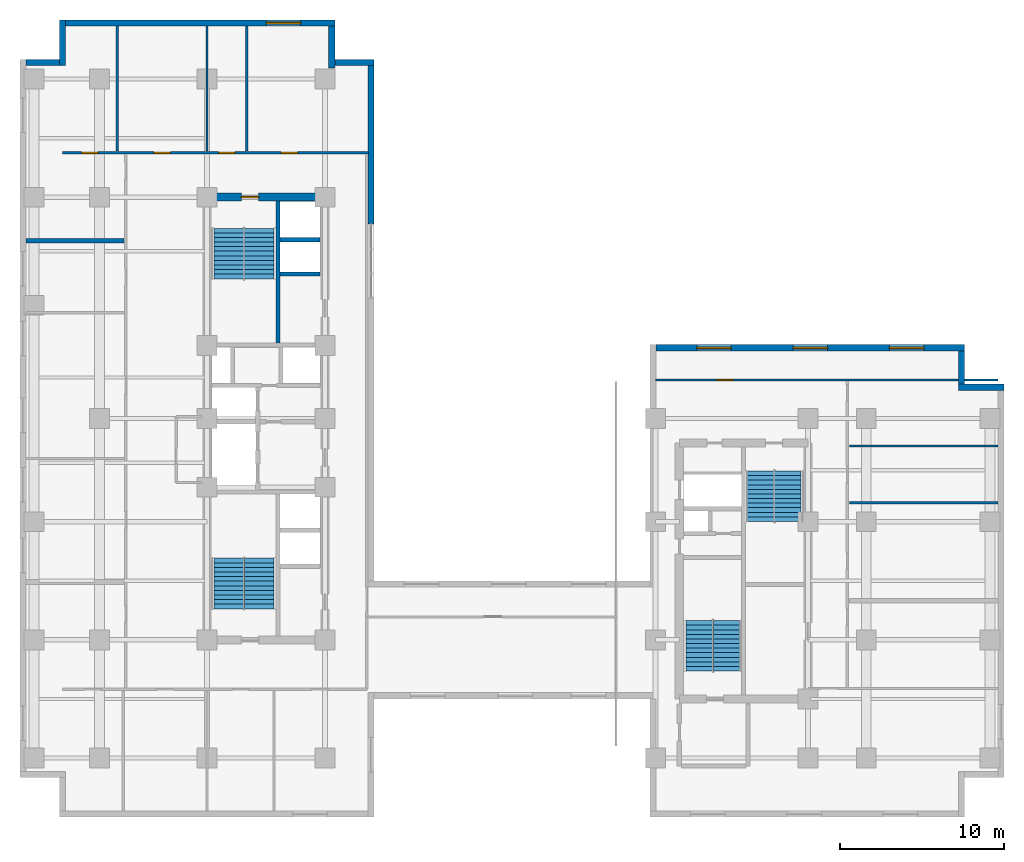
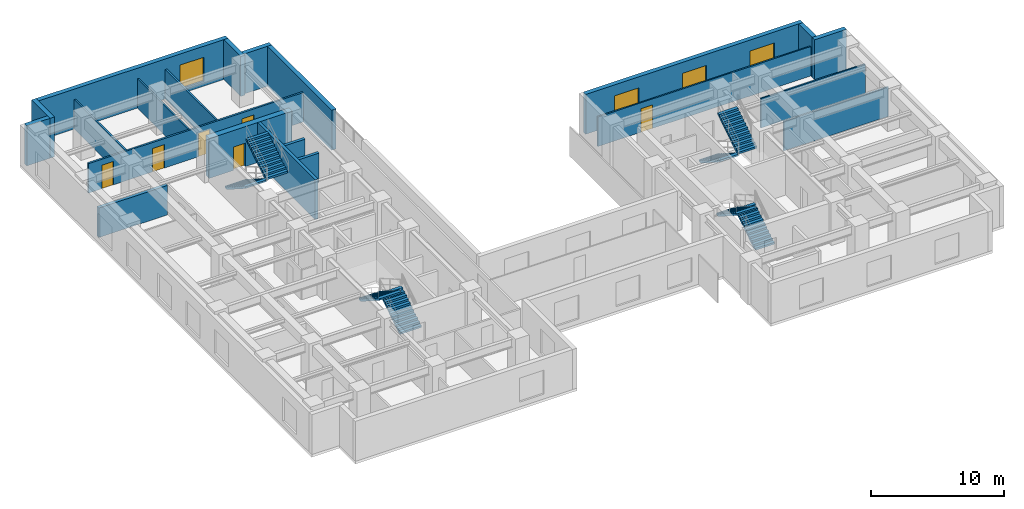
# One storey, part 8 of 11: 21 walls, 8 stair flights, 6 doors, 4 windows, 10 openings, 4 elements without a shape of their own.
"""IFC4 building model written with IfcOpenShell, lengths in metres."""

from ifc_helpers import new_model, entity, si_unit, converted_unit, direction, frame, origin_with_axes, origin_2d_with_axis, place, context, subcontext, project, spatial, polyline, rectangle, outline, extrude, material, layer, layer_set, type_object, element, fill, aggregate, save


model = new_model("IFC4")

# Units and contexts
model_context = context("Model", 3, precision=1e-05, world=origin_with_axes(), true_north=direction((0.0, 1.0)))
body_context = subcontext(model_context, "Body", "Model", "MODEL_VIEW")
ifc_project = project(units=[si_unit("LENGTHUNIT", "METRE"), si_unit("AREAUNIT", "SQUARE_METRE"), si_unit("VOLUMEUNIT", "CUBIC_METRE"), converted_unit("PLANEANGLEUNIT", "DEGREE", entity("IfcPlaneAngleMeasure", 0.017453292519943295), si_unit("PLANEANGLEUNIT", "RADIAN"), dimensions=[0, 0, 0, 0, 0, 0, 0]), si_unit("MASSUNIT", "GRAM", prefix="KILO"), si_unit("THERMODYNAMICTEMPERATUREUNIT", "KELVIN")], contexts=[model_context])

# Site, building, storey
site_placement = place(None, origin_with_axes())
site = spatial("IfcSite", under=ifc_project, at=site_placement, CompositionType="ELEMENT")
building_placement = place(site_placement, origin_with_axes())
building = spatial("IfcBuilding", under=site, at=building_placement, Name="Varnlund Millrace Tower", CompositionType="ELEMENT")
storey_placement = place(building_placement, frame((0.0, 0.0, 104.7), z_axis=(0.0, 0.0, 1.0), x_axis=(1.0, 0.0, 0.0)))
storey = spatial("IfcBuildingStorey", under=building, at=storey_placement, Name="L25", CompositionType="ELEMENT", Elevation=104.7)

# Wall, opening, door
ifc_material_1 = material(Name="Concrete C70/85", Category="concrete")
ifc_layer_1 = layer(ifc_material_1, 0.5, Name="Concrete C70/85")
ifc_layer_set_1 = layer_set([ifc_layer_1], Name="Concrete C70/85")
wall_type_1 = type_object("IfcWallType", Name="Type-CoreWall-Shear-500-C70", PredefinedType="SHEAR", material=ifc_layer_set_1)
wall_1_placement = place(storey_placement, frame((11.4, 37.8, 0.0), z_axis=(0.0, 0.0, 1.0), x_axis=(1.0, 0.0, 0.0)))
wall_1 = element("IfcWall", 1, at=wall_1_placement, inside=storey, type_object=wall_type_1, Name="Type-CoreWall-Shear-500-C70", PredefinedType="SHEAR", context=body_context, shape_type="SweptSolid", body=[
    extrude(outline(polyline([(0.0, -0.25), (7.2, -0.25), (7.2, 0.25), (0.0, 0.25), (0.0, -0.25)])), origin_with_axes(), (0.0, 0.0, 1.0), 3.66),
])
opening_1_placement = place(wall_1_placement, frame((2.625, 0.0, 0.0), z_axis=(0.0, 0.0, 1.0), x_axis=(1.0, 0.0, 0.0)))
opening_1 = element("IfcOpeningElement", 2, at=opening_1_placement, cuts=wall_1, Name="Opening L25:DR-STA2", PredefinedType="OPENING", context=body_context, shape_type="SweptSolid", body=[
    extrude(rectangle(XDim=1.05, YDim=0.52, at=origin_2d_with_axis()), origin_with_axes(), (0.0, 0.0, 1.0), 2.15),
])
ifc_material_2 = material(Name="Fire-rated hollow steel door", Category="steel")
door_type_1 = type_object("IfcDoorType", Name="Type-FireDoor-Stair-1050X2150", OperationType="NOTDEFINED", PredefinedType="DOOR", material=ifc_material_2)
door_1_placement = place(wall_1_placement, frame((2.625, 0.0, 0.0), z_axis=(0.0, 0.0, 1.0), x_axis=(1.0, 0.0, 0.0)))
door_1 = element("IfcDoor", 3, at=door_1_placement, inside=storey, type_object=door_type_1, Name="Type-FireDoor-Stair-1050X2150", OperationType="SINGLE_SWING_RIGHT", OverallHeight=2.15, OverallWidth=1.05, PredefinedType="DOOR", context=body_context, shape_type="SweptSolid", body=[
    extrude(rectangle(XDim=1.05, YDim=0.09, at=origin_2d_with_axis()), origin_with_axes(), (0.0, 0.0, 1.0), 2.15),
])
fill(opening_1, door_1)

# Wall, openings, windows
ifc_material_3 = material(Name="Precast concrete C50/60", Category="concrete")
ifc_layer_2 = layer(ifc_material_3, 0.38, Name="Precast concrete C50/60")
ifc_layer_set_2 = layer_set([ifc_layer_2], Name="Precast concrete C50/60")
wall_type_2 = type_object("IfcWallType", Name="Type-ExtWall-Precast-Tube-380", PredefinedType="SOLIDWALL", material=ifc_layer_set_2)
wall_2_placement = place(storey_placement, frame((38.78, 28.61, 0.0), z_axis=(0.0, 0.0, 1.0), x_axis=(1.0, 0.0, 0.0)))
wall_2 = element("IfcWall", 4, at=wall_2_placement, inside=storey, type_object=wall_type_2, Name="Type-ExtWall-Precast-Tube-380", PredefinedType="SOLIDWALL", context=body_context, shape_type="SweptSolid", body=[
    extrude(outline(polyline([(0.0, -0.19), (18.82, -0.19), (18.82, 0.19), (0.0, 0.19), (0.0, -0.19)])), origin_with_axes(), (0.0, 0.0, 1.0), 3.66),
])
opening_2_placement = place(wall_2_placement, frame((3.537, 0.0, 0.45), z_axis=(0.0, 0.0, 1.0), x_axis=(1.0, 0.0, 0.0)))
opening_2 = element("IfcOpeningElement", 5, at=opening_2_placement, cuts=wall_2, Name="Opening L25:WN-01", PredefinedType="OPENING", context=body_context, shape_type="SweptSolid", body=[
    extrude(rectangle(XDim=2.1, YDim=0.4, at=origin_2d_with_axis()), origin_with_axes(), (0.0, 0.0, 1.0), 2.2),
])
opening_3_placement = place(wall_2_placement, frame((9.41, 0.0, 0.45), z_axis=(0.0, 0.0, 1.0), x_axis=(1.0, 0.0, 0.0)))
opening_3 = element("IfcOpeningElement", 6, at=opening_3_placement, cuts=wall_2, Name="Opening L25:WN-02", PredefinedType="OPENING", context=body_context, shape_type="SweptSolid", body=[
    extrude(rectangle(XDim=2.1, YDim=0.4, at=origin_2d_with_axis()), origin_with_axes(), (0.0, 0.0, 1.0), 2.2),
])
opening_4_placement = place(wall_2_placement, frame((15.283, 0.0, 0.45), z_axis=(0.0, 0.0, 1.0), x_axis=(1.0, 0.0, 0.0)))
opening_4 = element("IfcOpeningElement", 7, at=opening_4_placement, cuts=wall_2, Name="Opening L25:WN-03", PredefinedType="OPENING", context=body_context, shape_type="SweptSolid", body=[
    extrude(rectangle(XDim=2.1, YDim=0.4, at=origin_2d_with_axis()), origin_with_axes(), (0.0, 0.0, 1.0), 2.2),
])
ifc_material_4 = material(Name="Argon low-e triple glazing in thermally broken bronze frame", Category="glass")
window_type = type_object("IfcWindowType", Name="Type-Window-Punched-2100X2200", PartitioningType="SINGLE_PANEL", PredefinedType="WINDOW", material=ifc_material_4)
window_1_placement = place(wall_2_placement, frame((3.537, 0.0, 0.45), z_axis=(0.0, 0.0, 1.0), x_axis=(1.0, 0.0, 0.0)))
window_1 = element("IfcWindow", 8, at=window_1_placement, inside=storey, type_object=window_type, Name="Type-Window-Punched-2100X2200", OverallHeight=2.2, OverallWidth=2.1, PredefinedType="WINDOW", context=body_context, shape_type="SweptSolid", body=[
    extrude(rectangle(XDim=2.1, YDim=0.09, at=origin_2d_with_axis()), origin_with_axes(), (0.0, 0.0, 1.0), 2.2),
])
fill(opening_2, window_1)
window_2_placement = place(wall_2_placement, frame((9.41, 0.0, 0.45), z_axis=(0.0, 0.0, 1.0), x_axis=(1.0, 0.0, 0.0)))
window_2 = element("IfcWindow", 9, at=window_2_placement, inside=storey, type_object=window_type, Name="Type-Window-Punched-2100X2200", OverallHeight=2.2, OverallWidth=2.1, PredefinedType="WINDOW", context=body_context, shape_type="SweptSolid", body=[
    extrude(rectangle(XDim=2.1, YDim=0.09, at=origin_2d_with_axis()), origin_with_axes(), (0.0, 0.0, 1.0), 2.2),
])
fill(opening_3, window_2)
window_3_placement = place(wall_2_placement, frame((15.283, 0.0, 0.45), z_axis=(0.0, 0.0, 1.0), x_axis=(1.0, 0.0, 0.0)))
window_3 = element("IfcWindow", 10, at=window_3_placement, inside=storey, type_object=window_type, Name="Type-Window-Punched-2100X2200", OverallHeight=2.2, OverallWidth=2.1, PredefinedType="WINDOW", context=body_context, shape_type="SweptSolid", body=[
    extrude(rectangle(XDim=2.1, YDim=0.09, at=origin_2d_with_axis()), origin_with_axes(), (0.0, 0.0, 1.0), 2.2),
])
fill(opening_4, window_3)

# Walls
wall_3_placement = place(storey_placement, frame((57.41, 28.42, 0.0), z_axis=(0.0, 0.0, 1.0), x_axis=(0.0, -1.0, 0.0)))
element("IfcWall", 11, at=wall_3_placement, inside=storey, type_object=wall_type_2, Name="Type-ExtWall-Precast-Tube-380", PredefinedType="SOLIDWALL", context=body_context, shape_type="SweptSolid", body=[
    extrude(outline(polyline([(0.0, -0.19), (2.02, -0.19), (2.02, 0.19), (0.0, 0.19), (0.0, -0.19)])), origin_with_axes(), (0.0, 0.0, 1.0), 3.66),
])
wall_4_placement = place(storey_placement, frame((57.22, 26.21, 0.0), z_axis=(0.0, 0.0, 1.0), x_axis=(1.0, 0.0, 0.0)))
element("IfcWall", 12, at=wall_4_placement, inside=storey, type_object=wall_type_2, Name="Type-ExtWall-Precast-Tube-380", PredefinedType="SOLIDWALL", context=body_context, shape_type="SweptSolid", body=[
    extrude(outline(polyline([(0.0, -0.19), (2.78, -0.19), (2.78, 0.19), (0.0, 0.19), (0.0, -0.19)])), origin_with_axes(), (0.0, 0.0, 1.0), 3.66),
])
wall_5_placement = place(storey_placement, frame((0.38, 46.01, 0.0), z_axis=(0.0, 0.0, 1.0), x_axis=(1.0, 0.0, 0.0)))
element("IfcWall", 13, at=wall_5_placement, inside=storey, type_object=wall_type_2, Name="Type-ExtWall-Precast-Tube-380", PredefinedType="SOLIDWALL", context=body_context, shape_type="SweptSolid", body=[
    extrude(outline(polyline([(0.0, -0.19), (2.02, -0.19), (2.02, 0.19), (0.0, 0.19), (0.0, -0.19)])), origin_with_axes(), (0.0, 0.0, 1.0), 3.66),
])
wall_6_placement = place(storey_placement, frame((2.59, 45.82, 0.0), z_axis=(0.0, 0.0, 1.0), x_axis=(0.0, 1.0, 0.0)))
element("IfcWall", 14, at=wall_6_placement, inside=storey, type_object=wall_type_2, Name="Type-ExtWall-Precast-Tube-380", PredefinedType="SOLIDWALL", context=body_context, shape_type="SweptSolid", body=[
    extrude(outline(polyline([(0.0, -0.19), (2.78, -0.19), (2.78, 0.19), (0.0, 0.19), (0.0, -0.19)])), origin_with_axes(), (0.0, 0.0, 1.0), 3.66),
])

# Wall, opening, window
wall_7_placement = place(storey_placement, frame((2.78, 48.41, 0.0), z_axis=(0.0, 0.0, 1.0), x_axis=(1.0, 0.0, 0.0)))
wall_7 = element("IfcWall", 15, at=wall_7_placement, inside=storey, type_object=wall_type_2, Name="Type-ExtWall-Precast-Tube-380", PredefinedType="SOLIDWALL", context=body_context, shape_type="SweptSolid", body=[
    extrude(outline(polyline([(0.0, -0.19), (16.42, -0.19), (16.42, 0.19), (0.0, 0.19), (0.0, -0.19)])), origin_with_axes(), (0.0, 0.0, 1.0), 3.66),
])
opening_5_placement = place(wall_7_placement, frame((13.283, 0.0, 0.45), z_axis=(0.0, 0.0, 1.0), x_axis=(1.0, 0.0, 0.0)))
opening_5 = element("IfcOpeningElement", 16, at=opening_5_placement, cuts=wall_7, Name="Opening L25:WN-20", PredefinedType="OPENING", context=body_context, shape_type="SweptSolid", body=[
    extrude(rectangle(XDim=2.1, YDim=0.4, at=origin_2d_with_axis()), origin_with_axes(), (0.0, 0.0, 1.0), 2.2),
])
window_4_placement = place(wall_7_placement, frame((13.283, 0.0, 0.45), z_axis=(0.0, 0.0, 1.0), x_axis=(1.0, 0.0, 0.0)))
window_4 = element("IfcWindow", 17, at=window_4_placement, inside=storey, type_object=window_type, Name="Type-Window-Punched-2100X2200", OverallHeight=2.2, OverallWidth=2.1, PredefinedType="WINDOW", context=body_context, shape_type="SweptSolid", body=[
    extrude(rectangle(XDim=2.1, YDim=0.09, at=origin_2d_with_axis()), origin_with_axes(), (0.0, 0.0, 1.0), 2.2),
])
fill(opening_5, window_4)

# Walls
wall_8_placement = place(storey_placement, frame((19.01, 48.22, 0.0), z_axis=(0.0, 0.0, 1.0), x_axis=(0.0, -1.0, 0.0)))
element("IfcWall", 18, at=wall_8_placement, inside=storey, type_object=wall_type_2, Name="Type-ExtWall-Precast-Tube-380", PredefinedType="SOLIDWALL", context=body_context, shape_type="SweptSolid", body=[
    extrude(outline(polyline([(0.0, -0.19), (2.56, -0.19), (2.56, 0.19), (0.0, 0.19), (0.0, -0.19)])), origin_with_axes(), (0.0, 0.0, 1.0), 3.66),
])
wall_9_placement = place(storey_placement, frame((18.82, 46.01, 0.0), z_axis=(0.0, 0.0, 1.0), x_axis=(1.0, 0.0, 0.0)))
element("IfcWall", 19, at=wall_9_placement, inside=storey, type_object=wall_type_2, Name="Type-ExtWall-Precast-Tube-380", PredefinedType="SOLIDWALL", context=body_context, shape_type="SweptSolid", body=[
    extrude(outline(polyline([(0.0, -0.19), (2.78, -0.19), (2.78, 0.19), (0.0, 0.19), (0.0, -0.19)])), origin_with_axes(), (0.0, 0.0, 1.0), 3.66),
])
wall_10_placement = place(storey_placement, frame((21.41, 45.82, 0.0), z_axis=(0.0, 0.0, 1.0), x_axis=(0.0, -1.0, 0.0)))
element("IfcWall", 20, at=wall_10_placement, inside=storey, type_object=wall_type_2, Name="Type-ExtWall-Precast-Tube-380", PredefinedType="SOLIDWALL", context=body_context, shape_type="SweptSolid", body=[
    extrude(outline(polyline([(0.0, -0.19), (9.67, -0.19), (9.67, 0.19), (0.0, 0.19), (0.0, -0.19)])), origin_with_axes(), (0.0, 0.0, 1.0), 3.66),
])
ifc_material_5 = material(Name="Double-stud STC-60 conference acoustic partition", Category="gypsum")
ifc_layer_3 = layer(ifc_material_5, 0.28, Name="Double-stud STC-60 conference acoustic partition")
ifc_layer_set_3 = layer_set([ifc_layer_3], Name="Double-stud STC-60 conference acoustic partition")
wall_type_3 = type_object("IfcWallType", Name="Type-Partition-Acoustic-280", PredefinedType="PARTITIONING", material=ifc_layer_set_3)
wall_11_placement = place(storey_placement, frame((0.375, 35.135, 0.0), z_axis=(0.0, 0.0, 1.0), x_axis=(1.0, 0.0, 0.0)))
element("IfcWall", 21, at=wall_11_placement, inside=storey, type_object=wall_type_3, Name="Type-Partition-Acoustic-280", PredefinedType="PARTITIONING", context=body_context, shape_type="SweptSolid", body=[
    extrude(outline(polyline([(0.0, -0.14), (5.955, -0.14), (5.955, 0.14), (0.0, 0.14), (0.0, -0.14)])), origin_with_axes(), (0.0, 0.0, 1.0), 2.7),
])

# Wall, openings, doors
ifc_material_6 = material(Name="Fire-rated gypsum board on cold-formed steel framing", Category="steel")
ifc_layer_4 = layer(ifc_material_6, 0.16, Name="Fire-rated gypsum board on cold-formed steel framing")
ifc_layer_set_4 = layer_set([ifc_layer_4], Name="Fire-rated gypsum board on cold-formed steel framing")
wall_type_4 = type_object("IfcWallType", Name="Type-Partition-Corridor-160", PredefinedType="PARTITIONING", material=ifc_layer_set_4)
wall_12_placement = place(storey_placement, frame((2.6, 40.5, 0.0), z_axis=(0.0, 0.0, 1.0), x_axis=(1.0, 0.0, 0.0)))
wall_12 = element("IfcWall", 22, at=wall_12_placement, inside=storey, type_object=wall_type_4, Name="Type-Partition-Corridor-160", PredefinedType="PARTITIONING", context=body_context, shape_type="SweptSolid", body=[
    extrude(outline(polyline([(0.0, -0.08), (18.65, -0.08), (18.65, 0.08), (0.0, 0.08), (0.0, -0.08)])), origin_with_axes(), (0.0, 0.0, 1.0), 2.7),
])
opening_6_placement = place(wall_12_placement, frame((1.6635, 0.0, 0.0), z_axis=(0.0, 0.0, 1.0), x_axis=(1.0, 0.0, 0.0)))
opening_6 = element("IfcOpeningElement", 23, at=opening_6_placement, cuts=wall_12, Name="Opening L25:DR-WAN-01", PredefinedType="OPENING", context=body_context, shape_type="SweptSolid", body=[
    extrude(rectangle(XDim=1.0, YDim=0.18, at=origin_2d_with_axis()), origin_with_axes(), (0.0, 0.0, 1.0), 2.15),
])
opening_7_placement = place(wall_12_placement, frame((6.0685, 0.0, 0.0), z_axis=(0.0, 0.0, 1.0), x_axis=(1.0, 0.0, 0.0)))
opening_7 = element("IfcOpeningElement", 24, at=opening_7_placement, cuts=wall_12, Name="Opening L25:DR-WAN-02", PredefinedType="OPENING", context=body_context, shape_type="SweptSolid", body=[
    extrude(rectangle(XDim=1.0, YDim=0.18, at=origin_2d_with_axis()), origin_with_axes(), (0.0, 0.0, 1.0), 2.15),
])
opening_8_placement = place(wall_12_placement, frame((10.015, 0.0, 0.0), z_axis=(0.0, 0.0, 1.0), x_axis=(1.0, 0.0, 0.0)))
opening_8 = element("IfcOpeningElement", 25, at=opening_8_placement, cuts=wall_12, Name="Opening L25:DR-WAN-03", PredefinedType="OPENING", context=body_context, shape_type="SweptSolid", body=[
    extrude(rectangle(XDim=1.0, YDim=0.18, at=origin_2d_with_axis()), origin_with_axes(), (0.0, 0.0, 1.0), 2.15),
])
opening_9_placement = place(wall_12_placement, frame((13.825, 0.0, 0.0), z_axis=(0.0, 0.0, 1.0), x_axis=(1.0, 0.0, 0.0)))
opening_9 = element("IfcOpeningElement", 26, at=opening_9_placement, cuts=wall_12, Name="Opening L25:DR-WAN-04", PredefinedType="OPENING", context=body_context, shape_type="SweptSolid", body=[
    extrude(rectangle(XDim=1.0, YDim=0.18, at=origin_2d_with_axis()), origin_with_axes(), (0.0, 0.0, 1.0), 2.15),
])
ifc_material_7 = material(Name="Solid-core white oak and bronze frame door")
door_type_2 = type_object("IfcDoorType", Name="Type-IntDoor-Office-1000X2150", OperationType="NOTDEFINED", PredefinedType="DOOR", material=ifc_material_7)
door_2_placement = place(wall_12_placement, frame((1.6635, 0.0, 0.0), z_axis=(0.0, 0.0, 1.0), x_axis=(1.0, 0.0, 0.0)))
door_2 = element("IfcDoor", 27, at=door_2_placement, inside=storey, type_object=door_type_2, Name="Type-IntDoor-Office-1000X2150", OperationType="SINGLE_SWING_LEFT", OverallHeight=2.15, OverallWidth=1.0, PredefinedType="DOOR", context=body_context, shape_type="SweptSolid", body=[
    extrude(rectangle(XDim=1.0, YDim=0.09, at=origin_2d_with_axis()), origin_with_axes(), (0.0, 0.0, 1.0), 2.15),
])
fill(opening_6, door_2)
door_3_placement = place(wall_12_placement, frame((6.0685, 0.0, 0.0), z_axis=(0.0, 0.0, 1.0), x_axis=(1.0, 0.0, 0.0)))
door_3 = element("IfcDoor", 28, at=door_3_placement, inside=storey, type_object=door_type_2, Name="Type-IntDoor-Office-1000X2150", OperationType="SINGLE_SWING_RIGHT", OverallHeight=2.15, OverallWidth=1.0, PredefinedType="DOOR", context=body_context, shape_type="SweptSolid", body=[
    extrude(rectangle(XDim=1.0, YDim=0.09, at=origin_2d_with_axis()), origin_with_axes(), (0.0, 0.0, 1.0), 2.15),
])
fill(opening_7, door_3)
door_4_placement = place(wall_12_placement, frame((10.015, 0.0, 0.0), z_axis=(0.0, 0.0, 1.0), x_axis=(1.0, 0.0, 0.0)))
door_4 = element("IfcDoor", 29, at=door_4_placement, inside=storey, type_object=door_type_2, Name="Type-IntDoor-Office-1000X2150", OperationType="SINGLE_SWING_LEFT", OverallHeight=2.15, OverallWidth=1.0, PredefinedType="DOOR", context=body_context, shape_type="SweptSolid", body=[
    extrude(rectangle(XDim=1.0, YDim=0.09, at=origin_2d_with_axis()), origin_with_axes(), (0.0, 0.0, 1.0), 2.15),
])
fill(opening_8, door_4)
door_5_placement = place(wall_12_placement, frame((13.825, 0.0, 0.0), z_axis=(0.0, 0.0, 1.0), x_axis=(1.0, 0.0, 0.0)))
door_5 = element("IfcDoor", 30, at=door_5_placement, inside=storey, type_object=door_type_2, Name="Type-IntDoor-Office-1000X2150", OperationType="SINGLE_SWING_RIGHT", OverallHeight=2.15, OverallWidth=1.0, PredefinedType="DOOR", context=body_context, shape_type="SweptSolid", body=[
    extrude(rectangle(XDim=1.0, YDim=0.09, at=origin_2d_with_axis()), origin_with_axes(), (0.0, 0.0, 1.0), 2.15),
])
fill(opening_9, door_5)

# Walls
ifc_material_8 = material(Name="Acoustic STC-50 gypsum board partition", Category="gypsum")
ifc_layer_5 = layer(ifc_material_8, 0.15, Name="Acoustic STC-50 gypsum board partition")
ifc_layer_set_5 = layer_set([ifc_layer_5], Name="Acoustic STC-50 gypsum board partition")
wall_type_5 = type_object("IfcWallType", Name="Type-Partition-Demising-150", PredefinedType="PARTITIONING", material=ifc_layer_set_5)
for number, where, z_axis, x_axis, name in (
    (31, (5.937, 40.6, 0.0), (0.0, 0.0, 1.0), (0.0, 1.0, 0.0), "Type-Partition-Demising-150"),
    (32, (13.83, 40.6, 0.0), (0.0, 0.0, 1.0), (0.0, 1.0, 0.0), "Type-Partition-Demising-150"),
):
    element("IfcWall", number, at=place(storey_placement, frame(where, z_axis=z_axis, x_axis=x_axis)), inside=storey, type_object=wall_type_5, Name=name, PredefinedType="PARTITIONING", context=body_context, shape_type="SweptSolid", body=[
        extrude(outline(polyline([(0.0, -0.075), (7.64, -0.075), (7.64, 0.075), (0.0, 0.075), (0.0, -0.075)])), origin_with_axes(), (0.0, 0.0, 1.0), 2.7),
    ])
ifc_material_9 = material(Name="Gypsum board tenant partition", Category="gypsum")
ifc_layer_6 = layer(ifc_material_9, 0.125, Name="Gypsum board tenant partition")
ifc_layer_set_6 = layer_set([ifc_layer_6], Name="Gypsum board tenant partition")
wall_type_6 = type_object("IfcWallType", Name="Type-Partition-Tenant-125", PredefinedType="PARTITIONING", material=ifc_layer_set_6)
wall_13_placement = place(storey_placement, frame((11.4, 40.6, 0.0), z_axis=(0.0, 0.0, 1.0), x_axis=(0.0, 1.0, 0.0)))
element("IfcWall", 33, at=wall_13_placement, inside=storey, type_object=wall_type_6, Name="Type-Partition-Tenant-125", PredefinedType="PARTITIONING", context=body_context, shape_type="SweptSolid", body=[
    extrude(outline(polyline([(0.0, -0.0625), (7.64, -0.0625), (7.64, 0.0625), (0.0, 0.0625), (0.0, -0.0625)])), origin_with_axes(), (0.0, 0.0, 1.0), 2.7),
])

# Wall, opening, door
wall_14_placement = place(storey_placement, frame((38.76, 26.65, 0.0), z_axis=(0.0, 0.0, 1.0), x_axis=(1.0, 0.0, 0.0)))
wall_14 = element("IfcWall", 34, at=wall_14_placement, inside=storey, type_object=wall_type_6, Name="Type-Partition-Tenant-125", PredefinedType="PARTITIONING", context=body_context, shape_type="SweptSolid", body=[
    extrude(outline(polyline([(0.0, -0.0625), (20.88, -0.0625), (20.88, 0.0625), (0.0, 0.0625), (0.0, -0.0625)])), origin_with_axes(), (0.0, 0.0, 1.0), 2.7),
])
opening_10_placement = place(wall_14_placement, frame((4.24, 0.0, 0.0), z_axis=(0.0, 0.0, 1.0), x_axis=(1.0, 0.0, 0.0)))
opening_10 = element("IfcOpeningElement", 35, at=opening_10_placement, cuts=wall_14, Name="Opening L25:DR-WBN-01", PredefinedType="OPENING", context=body_context, shape_type="SweptSolid", body=[
    extrude(rectangle(XDim=1.0, YDim=0.145, at=origin_2d_with_axis()), origin_with_axes(), (0.0, 0.0, 1.0), 2.15),
])
door_6_placement = place(wall_14_placement, frame((4.24, 0.0, 0.0), z_axis=(0.0, 0.0, 1.0), x_axis=(1.0, 0.0, 0.0)))
door_6 = element("IfcDoor", 36, at=door_6_placement, inside=storey, type_object=door_type_2, Name="Type-IntDoor-Office-1000X2150", OperationType="SINGLE_SWING_RIGHT", OverallHeight=2.15, OverallWidth=1.0, PredefinedType="DOOR", context=body_context, shape_type="SweptSolid", body=[
    extrude(rectangle(XDim=1.0, YDim=0.075, at=origin_2d_with_axis()), origin_with_axes(), (0.0, 0.0, 1.0), 2.15),
])
fill(opening_10, door_6)

# Walls
for number, where, z_axis, x_axis, name in (
    (37, (50.57, 19.165, 0.0), (0.0, 0.0, 1.0), (1.0, 0.0, 0.0), "Type-Partition-Tenant-125"),
    (38, (50.57, 22.621, 0.0), (0.0, 0.0, 1.0), (1.0, 0.0, 0.0), "Type-Partition-Tenant-125"),
):
    element("IfcWall", number, at=place(storey_placement, frame(where, z_axis=z_axis, x_axis=x_axis)), inside=storey, type_object=wall_type_6, Name=name, PredefinedType="PARTITIONING", context=body_context, shape_type="SweptSolid", body=[
        extrude(outline(polyline([(0.0, -0.0625), (9.055, -0.0625), (9.055, 0.0625), (0.0, 0.0625), (0.0, -0.0625)])), origin_with_axes(), (0.0, 0.0, 1.0), 2.7),
    ])
ifc_material_10 = material(Name="Concrete C60/75", Category="concrete")
ifc_layer_7 = layer(ifc_material_10, 0.25, Name="Concrete C60/75")
ifc_layer_set_7 = layer_set([ifc_layer_7], Name="Concrete C60/75")
wall_type_7 = type_object("IfcWallType", Name="Type-ShaftWall-Fire-250", PredefinedType="SOLIDWALL", material=ifc_layer_set_7)
for number, where, z_axis, x_axis, name in (
    (39, (15.84, 33.1, 0.0), (0.0, 0.0, 1.0), (1.0, 0.0, 0.0), "Type-ShaftWall-Fire-250"),
    (40, (15.84, 35.2, 0.0), (0.0, 0.0, 1.0), (1.0, 0.0, 0.0), "Type-ShaftWall-Fire-250"),
):
    element("IfcWall", number, at=place(storey_placement, frame(where, z_axis=z_axis, x_axis=x_axis)), inside=storey, type_object=wall_type_7, Name=name, PredefinedType="SOLIDWALL", context=body_context, shape_type="SweptSolid", body=[
        extrude(outline(polyline([(0.0, -0.125), (2.46, -0.125), (2.46, 0.125), (0.0, 0.125), (0.0, -0.125)])), origin_with_axes(), (0.0, 0.0, 1.0), 2.7),
    ])
wall_type_8 = type_object("IfcWallType", Name="Type-StairWall-Shear-250", PredefinedType="SHEAR", material=ifc_layer_set_7)
wall_15_placement = place(storey_placement, frame((15.725, 28.9, 0.0), z_axis=(0.0, 0.0, 1.0), x_axis=(0.0, 1.0, 0.0)))
element("IfcWall", 41, at=wall_15_placement, inside=storey, type_object=wall_type_8, Name="Type-StairWall-Shear-250", PredefinedType="SHEAR", context=body_context, shape_type="SweptSolid", body=[
    extrude(outline(polyline([(0.0, -0.125), (8.65, -0.125), (8.65, 0.125), (0.0, 0.125), (0.0, -0.125)])), origin_with_axes(), (0.0, 0.0, 1.0), 3.66),
])

# Stair, stair flights
ifc_material_11 = material(Name="Concrete C50/60", Category="concrete")
stair_type_1 = type_object("IfcStairType", Name="Type-Stair-Dogleg-165-390", PredefinedType="HALF_TURN_STAIR", material=ifc_material_11)
stair_1_placement = place(storey_placement, origin_with_axes())
stair_1 = element("IfcStair", 42, at=stair_1_placement, inside=storey, type_object=stair_type_1, Name="Type-Stair-Dogleg-165-390", PredefinedType="HALF_TURN_STAIR")
stair_flight_type_1 = type_object("IfcStairFlightType", Name="Type-Dogleg-Run-165-390", PredefinedType="STRAIGHT", material=ifc_material_3)
stair_flight_1_placement = place(storey_placement, frame((42.225, 8.9, 0.0), z_axis=(1.0, 0.0, 0.0), x_axis=(0.0, 1.0, 0.0)))
stair_flight_1 = element("IfcStairFlight", 43, at=stair_flight_1_placement, type_object=stair_flight_type_1, Name="ST-B1 flight 1", NumberOfRisers=11, NumberOfTreads=11, PredefinedType="STRAIGHT", RiserHeight=0.177273, TreadLength=0.28, context=body_context, shape_type="SweptSolid", body=[
    extrude(outline(polyline([(0.0, 0.0), (0.0, 0.177273), (0.28, 0.177273), (0.28, 0.354545), (0.56, 0.354545), (0.56, 0.531818), (0.84, 0.531818), (0.84, 0.709091), (1.12, 0.709091), (1.12, 0.886364), (1.4, 0.886364), (1.4, 1.063636), (1.68, 1.063636), (1.68, 1.240909), (1.96, 1.240909), (1.96, 1.418182), (2.24, 1.418182), (2.24, 1.595454), (2.52, 1.595454), (2.52, 1.772727), (2.8, 1.772727), (2.8, 1.95), (3.08, 1.95), (3.08, 1.8), (0.28, 0.0), (0.0, 0.0)])), origin_with_axes(), (0.0, 0.0, 1.0), 1.65),
])
stair_flight_2_placement = place(storey_placement, frame((42.275, 11.98, 1.95), z_axis=(-1.0, 0.0, 0.0), x_axis=(0.0, -1.0, 0.0)))
stair_flight_2 = element("IfcStairFlight", 44, at=stair_flight_2_placement, type_object=stair_flight_type_1, Name="ST-B1 flight 2", NumberOfRisers=11, NumberOfTreads=11, PredefinedType="STRAIGHT", RiserHeight=0.177273, TreadLength=0.28, context=body_context, shape_type="SweptSolid", body=[
    extrude(outline(polyline([(0.0, 0.0), (0.0, 0.177273), (0.28, 0.177273), (0.28, 0.354545), (0.56, 0.354545), (0.56, 0.531818), (0.84, 0.531818), (0.84, 0.709091), (1.12, 0.709091), (1.12, 0.886364), (1.4, 0.886364), (1.4, 1.063636), (1.68, 1.063636), (1.68, 1.240909), (1.96, 1.240909), (1.96, 1.418182), (2.24, 1.418182), (2.24, 1.595454), (2.52, 1.595454), (2.52, 1.772727), (2.8, 1.772727), (2.8, 1.95), (3.08, 1.95), (3.08, 1.8), (0.28, 0.0), (0.0, 0.0)])), origin_with_axes(), (0.0, 0.0, 1.0), 1.65),
])
aggregate(stair_1, [stair_flight_1, stair_flight_2])

stair_2_placement = place(storey_placement, origin_with_axes())
stair_2 = element("IfcStair", 45, at=stair_2_placement, inside=storey, type_object=stair_type_1, Name="Type-Stair-Dogleg-165-390", PredefinedType="HALF_TURN_STAIR")
stair_flight_3_placement = place(storey_placement, frame((46.025, 21.1, 0.0), z_axis=(-1.0, 0.0, 0.0), x_axis=(0.0, -1.0, 0.0)))
stair_flight_3 = element("IfcStairFlight", 46, at=stair_flight_3_placement, type_object=stair_flight_type_1, Name="ST-B2 flight 1", NumberOfRisers=11, NumberOfTreads=11, PredefinedType="STRAIGHT", RiserHeight=0.177273, TreadLength=0.28, context=body_context, shape_type="SweptSolid", body=[
    extrude(outline(polyline([(0.0, 0.0), (0.0, 0.177273), (0.28, 0.177273), (0.28, 0.354545), (0.56, 0.354545), (0.56, 0.531818), (0.84, 0.531818), (0.84, 0.709091), (1.12, 0.709091), (1.12, 0.886364), (1.4, 0.886364), (1.4, 1.063636), (1.68, 1.063636), (1.68, 1.240909), (1.96, 1.240909), (1.96, 1.418182), (2.24, 1.418182), (2.24, 1.595454), (2.52, 1.595454), (2.52, 1.772727), (2.8, 1.772727), (2.8, 1.95), (3.08, 1.95), (3.08, 1.8), (0.28, 0.0), (0.0, 0.0)])), origin_with_axes(), (0.0, 0.0, 1.0), 1.65),
])
stair_flight_4_placement = place(storey_placement, frame((45.975, 18.02, 1.95), z_axis=(1.0, 0.0, 0.0), x_axis=(0.0, 1.0, 0.0)))
stair_flight_4 = element("IfcStairFlight", 47, at=stair_flight_4_placement, type_object=stair_flight_type_1, Name="ST-B2 flight 2", NumberOfRisers=11, NumberOfTreads=11, PredefinedType="STRAIGHT", RiserHeight=0.177273, TreadLength=0.28, context=body_context, shape_type="SweptSolid", body=[
    extrude(outline(polyline([(0.0, 0.0), (0.0, 0.177273), (0.28, 0.177273), (0.28, 0.354545), (0.56, 0.354545), (0.56, 0.531818), (0.84, 0.531818), (0.84, 0.709091), (1.12, 0.709091), (1.12, 0.886364), (1.4, 0.886364), (1.4, 1.063636), (1.68, 1.063636), (1.68, 1.240909), (1.96, 1.240909), (1.96, 1.418182), (2.24, 1.418182), (2.24, 1.595454), (2.52, 1.595454), (2.52, 1.772727), (2.8, 1.772727), (2.8, 1.95), (3.08, 1.95), (3.08, 1.8), (0.28, 0.0), (0.0, 0.0)])), origin_with_axes(), (0.0, 0.0, 1.0), 1.65),
])
aggregate(stair_2, [stair_flight_3, stair_flight_4])

stair_type_2 = type_object("IfcStairType", Name="Type-Stair-Dogleg-185-390", PredefinedType="HALF_TURN_STAIR", material=ifc_material_11)
stair_3_placement = place(storey_placement, origin_with_axes())
stair_3 = element("IfcStair", 48, at=stair_3_placement, inside=storey, type_object=stair_type_2, Name="Type-Stair-Dogleg-185-390", PredefinedType="HALF_TURN_STAIR")
stair_flight_type_2 = type_object("IfcStairFlightType", Name="Type-Dogleg-Run-185-390", PredefinedType="STRAIGHT", material=ifc_material_3)
stair_flight_5_placement = place(storey_placement, frame((13.625, 12.7, 0.0), z_axis=(1.0, 0.0, 0.0), x_axis=(0.0, 1.0, 0.0)))
stair_flight_5 = element("IfcStairFlight", 49, at=stair_flight_5_placement, type_object=stair_flight_type_2, Name="ST-A1 flight 1", NumberOfRisers=11, NumberOfTreads=11, PredefinedType="STRAIGHT", RiserHeight=0.177273, TreadLength=0.28, context=body_context, shape_type="SweptSolid", body=[
    extrude(outline(polyline([(0.0, 0.0), (0.0, 0.177273), (0.28, 0.177273), (0.28, 0.354545), (0.56, 0.354545), (0.56, 0.531818), (0.84, 0.531818), (0.84, 0.709091), (1.12, 0.709091), (1.12, 0.886364), (1.4, 0.886364), (1.4, 1.063636), (1.68, 1.063636), (1.68, 1.240909), (1.96, 1.240909), (1.96, 1.418182), (2.24, 1.418182), (2.24, 1.595454), (2.52, 1.595454), (2.52, 1.772727), (2.8, 1.772727), (2.8, 1.95), (3.08, 1.95), (3.08, 1.8), (0.28, 0.0), (0.0, 0.0)])), origin_with_axes(), (0.0, 0.0, 1.0), 1.85),
])
stair_flight_6_placement = place(storey_placement, frame((13.675, 15.78, 1.95), z_axis=(-1.0, 0.0, 0.0), x_axis=(0.0, -1.0, 0.0)))
stair_flight_6 = element("IfcStairFlight", 50, at=stair_flight_6_placement, type_object=stair_flight_type_2, Name="ST-A1 flight 2", NumberOfRisers=11, NumberOfTreads=11, PredefinedType="STRAIGHT", RiserHeight=0.177273, TreadLength=0.28, context=body_context, shape_type="SweptSolid", body=[
    extrude(outline(polyline([(0.0, 0.0), (0.0, 0.177273), (0.28, 0.177273), (0.28, 0.354545), (0.56, 0.354545), (0.56, 0.531818), (0.84, 0.531818), (0.84, 0.709091), (1.12, 0.709091), (1.12, 0.886364), (1.4, 0.886364), (1.4, 1.063636), (1.68, 1.063636), (1.68, 1.240909), (1.96, 1.240909), (1.96, 1.418182), (2.24, 1.418182), (2.24, 1.595454), (2.52, 1.595454), (2.52, 1.772727), (2.8, 1.772727), (2.8, 1.95), (3.08, 1.95), (3.08, 1.8), (0.28, 0.0), (0.0, 0.0)])), origin_with_axes(), (0.0, 0.0, 1.0), 1.85),
])
aggregate(stair_3, [stair_flight_5, stair_flight_6])

stair_4_placement = place(storey_placement, origin_with_axes())
stair_4 = element("IfcStair", 51, at=stair_4_placement, inside=storey, type_object=stair_type_2, Name="Type-Stair-Dogleg-185-390", PredefinedType="HALF_TURN_STAIR")
stair_flight_7_placement = place(storey_placement, frame((13.675, 35.9, 0.0), z_axis=(-1.0, 0.0, 0.0), x_axis=(0.0, -1.0, 0.0)))
stair_flight_7 = element("IfcStairFlight", 52, at=stair_flight_7_placement, type_object=stair_flight_type_2, Name="ST-A2 flight 1", NumberOfRisers=11, NumberOfTreads=11, PredefinedType="STRAIGHT", RiserHeight=0.177273, TreadLength=0.28, context=body_context, shape_type="SweptSolid", body=[
    extrude(outline(polyline([(0.0, 0.0), (0.0, 0.177273), (0.28, 0.177273), (0.28, 0.354545), (0.56, 0.354545), (0.56, 0.531818), (0.84, 0.531818), (0.84, 0.709091), (1.12, 0.709091), (1.12, 0.886364), (1.4, 0.886364), (1.4, 1.063636), (1.68, 1.063636), (1.68, 1.240909), (1.96, 1.240909), (1.96, 1.418182), (2.24, 1.418182), (2.24, 1.595454), (2.52, 1.595454), (2.52, 1.772727), (2.8, 1.772727), (2.8, 1.95), (3.08, 1.95), (3.08, 1.8), (0.28, 0.0), (0.0, 0.0)])), origin_with_axes(), (0.0, 0.0, 1.0), 1.85),
])
stair_flight_8_placement = place(storey_placement, frame((13.625, 32.82, 1.95), z_axis=(1.0, 0.0, 0.0), x_axis=(0.0, 1.0, 0.0)))
stair_flight_8 = element("IfcStairFlight", 53, at=stair_flight_8_placement, type_object=stair_flight_type_2, Name="ST-A2 flight 2", NumberOfRisers=11, NumberOfTreads=11, PredefinedType="STRAIGHT", RiserHeight=0.177273, TreadLength=0.28, context=body_context, shape_type="SweptSolid", body=[
    extrude(outline(polyline([(0.0, 0.0), (0.0, 0.177273), (0.28, 0.177273), (0.28, 0.354545), (0.56, 0.354545), (0.56, 0.531818), (0.84, 0.531818), (0.84, 0.709091), (1.12, 0.709091), (1.12, 0.886364), (1.4, 0.886364), (1.4, 1.063636), (1.68, 1.063636), (1.68, 1.240909), (1.96, 1.240909), (1.96, 1.418182), (2.24, 1.418182), (2.24, 1.595454), (2.52, 1.595454), (2.52, 1.772727), (2.8, 1.772727), (2.8, 1.95), (3.08, 1.95), (3.08, 1.8), (0.28, 0.0), (0.0, 0.0)])), origin_with_axes(), (0.0, 0.0, 1.0), 1.85),
])
aggregate(stair_4, [stair_flight_7, stair_flight_8])

save(model, "model.ifc")
